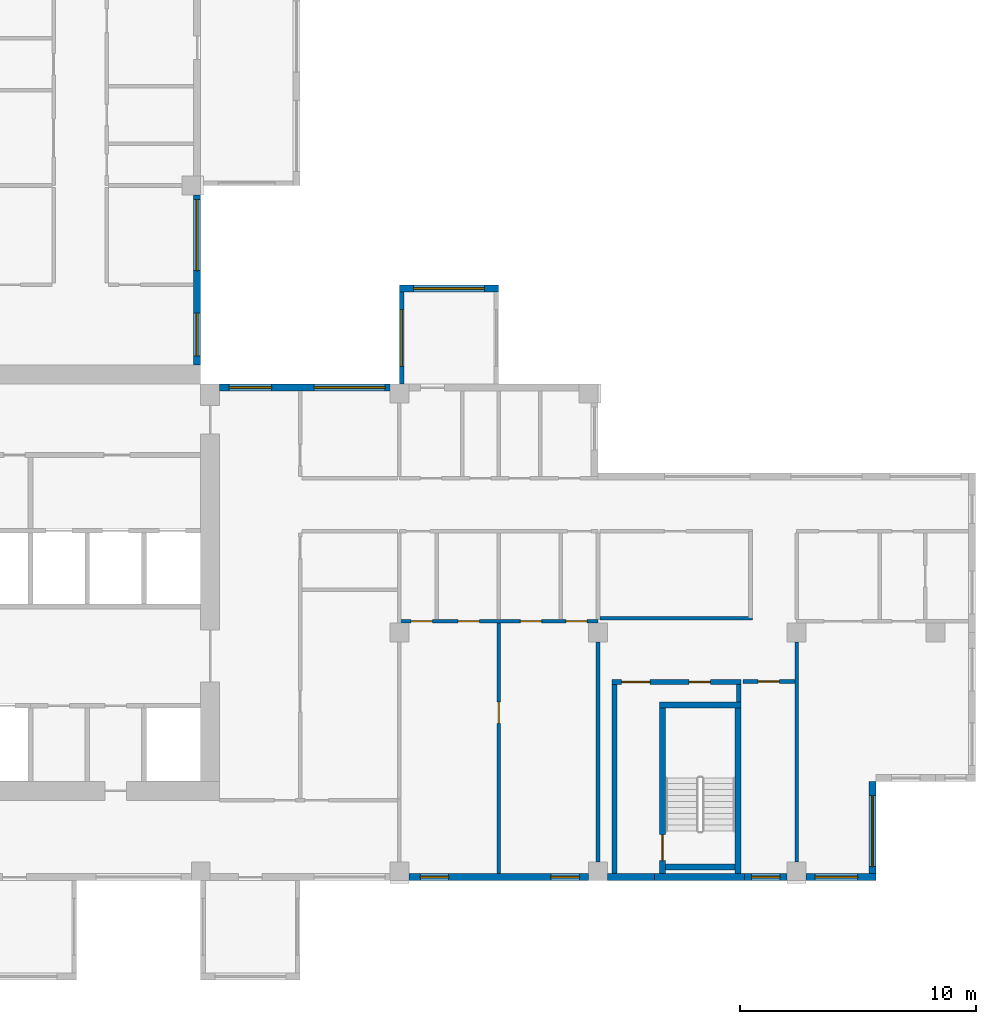
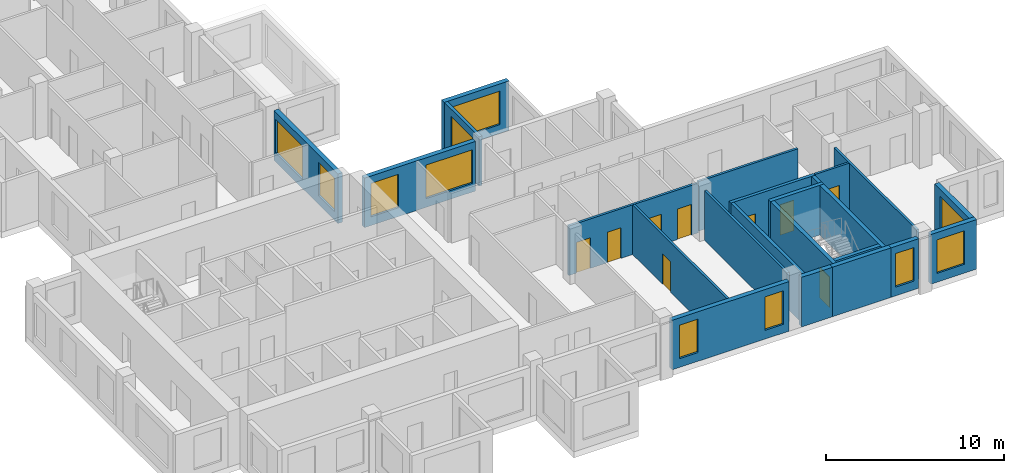
# One storey, part 4 of 12: 23 walls, 11 windows, 9 doors, 20 openings.
"""IFC4 building model written with IfcOpenShell, lengths in metres."""

from ifc_helpers import new_model, si_unit, direction, frame, frame_2d, origin, place, context, subcontext, project, spatial, rectangle, extrude, source, transform, mapped, material, layer, layer_set, type_object, element, fill, save


model = new_model("IFC4")

# Units and contexts
model_context = context("Model", 3, precision=1e-05, world=origin(), true_north=direction((0.0, 1.0)))
body_context = subcontext(model_context, "Body", "Model", "MODEL_VIEW")
ifc_project = project(units=[si_unit("LENGTHUNIT", "METRE"), si_unit("AREAUNIT", "SQUARE_METRE"), si_unit("VOLUMEUNIT", "CUBIC_METRE"), si_unit("PLANEANGLEUNIT", "RADIAN"), si_unit("MASSUNIT", "GRAM", prefix="KILO")], contexts=[model_context])

# Site, building, storey
site_placement = place(None, origin())
site = spatial("IfcSite", under=ifc_project, at=site_placement, CompositionType="ELEMENT")
building_placement = place(site_placement, origin())
building = spatial("IfcBuilding", under=site, at=building_placement, Name="Aurelian Terraces", CompositionType="ELEMENT")
storey_placement = place(building_placement, frame((0.0, 0.0, 242.4)))
storey = spatial("IfcBuildingStorey", under=building, at=storey_placement, Name="L55", CompositionType="ELEMENT", Elevation=242.4)

# Wall, opening, door
ifc_material_1 = material(Name="Gypsum board on steel studs", Category="steel")
ifc_layer_1 = layer(ifc_material_1, 0.15)
ifc_layer_set_1 = layer_set([ifc_layer_1], Name="Partition 150")
wall_type_1 = type_object("IfcWallType", Name="Partition 150", PredefinedType="PARTITIONING", material=ifc_layer_set_1)
wall_1_placement = place(storey_placement, frame((33.6, 0.3, 0.0), z_axis=(0.0, 0.0, 1.0), x_axis=(0.0, 1.0, 0.0)))
wall_1 = element("IfcWall", 1, at=wall_1_placement, inside=storey, type_object=wall_type_1, Name="Partition", PredefinedType="PARTITIONING", context=body_context, shape_type="SweptSolid", body=[
    extrude(rectangle(XDim=10.6, YDim=0.15, at=frame_2d((5.3, 0.0))), origin(), (0.0, 0.0, 1.0), 3.4),
])
shared_shape_1 = source(origin(), body_context, "Body", "SweptSolid", [
    extrude(rectangle(XDim=0.9, YDim=2.1, at=frame_2d((0.45, 1.05))), frame((0.0, 0.085, 0.0), z_axis=(0.0, -1.0, 0.0), x_axis=(1.0, 0.0, 0.0)), (0.0, 0.0, 1.0), 0.17),
])
opening_1_placement = place(wall_1_placement, frame((6.35, 0.0, 0.0)))
opening_1 = element("IfcOpeningElement", 2, at=opening_1_placement, cuts=wall_1, Name="Opening 755013", PredefinedType="OPENING", context=body_context, shape_type="MappedRepresentation", body=[
    mapped(shared_shape_1, transform((0.0, 0.0, 0.0), scale=1.0)),
])
ifc_material_2 = material(Name="Timber door leaf", Category="wood")
door_type_1 = type_object("IfcDoorType", Name="Room door 900x2100 right", OperationType="SINGLE_SWING_RIGHT", PredefinedType="DOOR", material=ifc_material_2)
shared_shape_2 = source(origin(), body_context, "Body", "SweptSolid", [
    extrude(rectangle(XDim=0.9, YDim=2.1, at=frame_2d((0.45, 1.05))), frame((0.0, 0.025, 0.0), z_axis=(0.0, -1.0, 0.0), x_axis=(1.0, 0.0, 0.0)), (0.0, 0.0, 1.0), 0.05),
])
door_1_placement = place(opening_1_placement, origin())
door_1 = element("IfcDoor", 3, at=door_1_placement, inside=storey, type_object=door_type_1, Name="Door 755013", OperationType="SINGLE_SWING_RIGHT", OverallHeight=2.1, OverallWidth=0.9, PredefinedType="DOOR", context=body_context, shape_type="MappedRepresentation", body=[
    mapped(shared_shape_2, transform((0.0, 0.0, 0.0), scale=1.0)),
])
fill(opening_1, door_1)

# Wall, opening, window
ifc_material_3 = material(Name="Terracotta rainscreen cladding", Category="masonry")
ifc_layer_2 = layer(ifc_material_3, 0.3)
ifc_layer_set_2 = layer_set([ifc_layer_2], Name="EW-300")
wall_type_2 = type_object("IfcWallType", Name="EW-300", PredefinedType="STANDARD", material=ifc_layer_set_2)
shared_shape_3 = source(origin(), body_context, "Body", "SweptSolid", [
    extrude(rectangle(XDim=4.2, YDim=0.3, at=frame_2d((2.1, 0.0))), origin(), (0.0, 0.0, 1.0), 3.4),
])
wall_2_placement = place(storey_placement, frame((49.41, 0.0, 0.0), z_axis=(0.0, 0.0, 1.0), x_axis=(0.0, 1.0, 0.0)))
wall_2 = element("IfcWall", 4, at=wall_2_placement, inside=storey, type_object=wall_type_2, Name="External wall L55 F02.7", PredefinedType="STANDARD", context=body_context, shape_type="MappedRepresentation", body=[
    mapped(shared_shape_3, transform((0.0, 0.0, 0.0), scale=1.0)),
])
shared_shape_4 = source(origin(), body_context, "Body", "SweptSolid", [
    extrude(rectangle(XDim=3.0, YDim=2.3, at=frame_2d((1.5, 1.15))), frame((0.0, 0.16, 0.0), z_axis=(0.0, -1.0, 0.0), x_axis=(1.0, 0.0, 0.0)), (0.0, 0.0, 1.0), 0.32),
])
opening_2_placement = place(wall_2_placement, frame((0.6, 0.0, 0.6)))
opening_2 = element("IfcOpeningElement", 5, at=opening_2_placement, cuts=wall_2, Name="Opening W3023", PredefinedType="OPENING", context=body_context, shape_type="MappedRepresentation", body=[
    mapped(shared_shape_4, transform((0.0, 0.0, 0.0), scale=1.0)),
])
ifc_material_4 = material(Name="Clear glazing", Category="glass")
window_type_1 = type_object("IfcWindowType", Name="W-3000x2300", PartitioningType="SINGLE_PANEL", PredefinedType="WINDOW", material=ifc_material_4)
shared_shape_5 = source(origin(), body_context, "Body", "SweptSolid", [
    extrude(rectangle(XDim=3.0, YDim=2.3, at=frame_2d((1.5, 1.15))), frame((0.0, 0.03, 0.0), z_axis=(0.0, -1.0, 0.0), x_axis=(1.0, 0.0, 0.0)), (0.0, 0.0, 1.0), 0.06),
])
window_1_placement = place(opening_2_placement, origin())
window_1 = element("IfcWindow", 6, at=window_1_placement, inside=storey, type_object=window_type_1, Name="Window L55 L55-F02-07-0", OverallHeight=2.3, OverallWidth=3.0, PartitioningType="SINGLE_PANEL", PredefinedType="WINDOW", context=body_context, shape_type="MappedRepresentation", body=[
    mapped(shared_shape_5, transform((0.0, 0.0, 0.0), scale=1.0)),
])
fill(opening_2, window_1)

ifc_material_5 = material(Name="Concrete fc' 40 MPa", Category="concrete")
ifc_layer_3 = layer(ifc_material_5, 0.2)
ifc_layer_set_3 = layer_set([ifc_layer_3], Name="BOX BEARING WALL 200")
wall_type_3 = type_object("IfcWallType", Name="BOX BEARING WALL 200", PredefinedType="SOLIDWALL", material=ifc_layer_set_3)
shared_shape_6 = source(origin(), body_context, "Body", "SweptSolid", [
    extrude(rectangle(XDim=3.9, YDim=0.2, at=frame_2d((1.95, 0.0))), origin(), (0.0, 0.0, 1.0), 3.39),
])
wall_3_placement = place(storey_placement, frame((29.5, 21.0, 0.0), z_axis=(0.0, 0.0, 1.0), x_axis=(0.0, 1.0, 0.0)))
wall_3 = element("IfcWall", 7, at=wall_3_placement, inside=storey, type_object=wall_type_3, Name="Box return L55 J81.2", PredefinedType="SOLIDWALL", context=body_context, shape_type="MappedRepresentation", body=[
    mapped(shared_shape_6, transform((0.0, 0.0, 0.0), scale=1.0)),
])
shared_shape_7 = source(origin(), body_context, "Body", "SweptSolid", [
    extrude(rectangle(XDim=2.4, YDim=2.3, at=frame_2d((1.2, 1.15))), frame((0.0, 0.11, 0.0), z_axis=(0.0, -1.0, 0.0), x_axis=(1.0, 0.0, 0.0)), (0.0, 0.0, 1.0), 0.22),
])
opening_3_placement = place(wall_3_placement, frame((0.75, 0.0, 0.6)))
opening_3 = element("IfcOpeningElement", 8, at=opening_3_placement, cuts=wall_3, Name="Opening W2423", PredefinedType="OPENING", context=body_context, shape_type="MappedRepresentation", body=[
    mapped(shared_shape_7, transform((0.0, 0.0, 0.0), scale=1.0)),
])
window_type_2 = type_object("IfcWindowType", Name="W-2400x2300", PartitioningType="SINGLE_PANEL", PredefinedType="WINDOW", material=ifc_material_4)
shared_shape_8 = source(origin(), body_context, "Body", "SweptSolid", [
    extrude(rectangle(XDim=2.4, YDim=2.3, at=frame_2d((1.2, 1.15))), frame((0.0, 0.03, 0.0), z_axis=(0.0, -1.0, 0.0), x_axis=(1.0, 0.0, 0.0)), (0.0, 0.0, 1.0), 0.06),
])
window_2_placement = place(opening_3_placement, origin())
window_2 = element("IfcWindow", 9, at=window_2_placement, inside=storey, type_object=window_type_2, Name="Window L55 J81-S2", OverallHeight=2.3, OverallWidth=2.4, PartitioningType="SINGLE_PANEL", PredefinedType="WINDOW", context=body_context, shape_type="MappedRepresentation", body=[
    mapped(shared_shape_8, transform((0.0, 0.0, 0.0), scale=1.0)),
])
fill(opening_3, window_2)

ifc_layer_4 = layer(ifc_material_5, 0.3)
ifc_layer_set_4 = layer_set([ifc_layer_4], Name="BOX BEARING WALL 300")
wall_type_4 = type_object("IfcWallType", Name="BOX BEARING WALL 300", PredefinedType="SOLIDWALL", material=ifc_layer_set_4)
shared_shape_9 = source(origin(), body_context, "Body", "SweptSolid", [
    extrude(rectangle(XDim=4.2, YDim=0.3, at=frame_2d((2.1, 0.0))), origin(), (0.0, 0.0, 1.0), 3.39),
])
wall_4_placement = place(storey_placement, frame((33.6, 25.05, 0.0), z_axis=(0.0, 0.0, 1.0), x_axis=(-1.0, 0.0, 0.0)))
wall_4 = element("IfcWall", 10, at=wall_4_placement, inside=storey, type_object=wall_type_4, Name="Box wall L55 J81", PredefinedType="SOLIDWALL", context=body_context, shape_type="MappedRepresentation", body=[
    mapped(shared_shape_9, transform((0.0, 0.0, 0.0), scale=1.0)),
])
opening_4_placement = place(wall_4_placement, frame((0.6, 0.0, 0.6)))
opening_4 = element("IfcOpeningElement", 11, at=opening_4_placement, cuts=wall_4, Name="Opening W3023", PredefinedType="OPENING", context=body_context, shape_type="MappedRepresentation", body=[
    mapped(shared_shape_4, transform((0.0, 0.0, 0.0), scale=1.0)),
])
window_3_placement = place(opening_4_placement, origin())
window_3 = element("IfcWindow", 12, at=window_3_placement, inside=storey, type_object=window_type_1, Name="Window L55 J81-F1", OverallHeight=2.3, OverallWidth=3.0, PartitioningType="SINGLE_PANEL", PredefinedType="WINDOW", context=body_context, shape_type="MappedRepresentation", body=[
    mapped(shared_shape_5, transform((0.0, 0.0, 0.0), scale=1.0)),
])
fill(opening_4, window_3)

# Wall
ifc_layer_5 = layer(ifc_material_5, 0.3)
ifc_layer_set_5 = layer_set([ifc_layer_5], Name="STAIR BAY WALL 300")
wall_type_5 = type_object("IfcWallType", Name="STAIR BAY WALL 300", PredefinedType="SOLIDWALL", material=ifc_layer_set_5)
shared_shape_10 = source(origin(), body_context, "Body", "SweptSolid", [
    extrude(rectangle(XDim=3.8, YDim=0.3, at=frame_2d((1.9, 0.0))), origin(), (0.0, 0.0, 1.0), 3.4),
])
wall_5_placement = place(storey_placement, frame((40.2, 0.15, 0.0), z_axis=(0.0, 0.0, 1.0), x_axis=(1.0, 0.0, 0.0)))
element("IfcWall", 13, at=wall_5_placement, inside=storey, type_object=wall_type_5, Name="Stair bay wall L55 F01.5", PredefinedType="SOLIDWALL", context=body_context, shape_type="MappedRepresentation", body=[
    mapped(shared_shape_10, transform((0.0, 0.0, 0.0), scale=1.0)),
])

# Wall, openings, windows
shared_shape_11 = source(origin(), body_context, "Body", "SweptSolid", [
    extrude(rectangle(XDim=7.2, YDim=0.3, at=frame_2d((3.6, 0.0))), origin(), (0.0, 0.0, 1.0), 3.4),
])
wall_6_placement = place(storey_placement, frame((29.0, 20.85, 0.0), z_axis=(0.0, 0.0, 1.0), x_axis=(-1.0, 0.0, 0.0)))
wall_6 = element("IfcWall", 14, at=wall_6_placement, inside=storey, type_object=wall_type_2, Name="External wall L55 F07.15", PredefinedType="STANDARD", context=body_context, shape_type="MappedRepresentation", body=[
    mapped(shared_shape_11, transform((0.0, 0.0, 0.0), scale=1.0)),
])
opening_5_placement = place(wall_6_placement, frame((0.2, 0.0, 0.6)))
opening_5 = element("IfcOpeningElement", 15, at=opening_5_placement, cuts=wall_6, Name="Opening W3023", PredefinedType="OPENING", context=body_context, shape_type="MappedRepresentation", body=[
    mapped(shared_shape_4, transform((0.0, 0.0, 0.0), scale=1.0)),
])
shared_shape_12 = source(origin(), body_context, "Body", "SweptSolid", [
    extrude(rectangle(XDim=1.8, YDim=2.3, at=frame_2d((0.9, 1.15))), frame((0.0, 0.16, 0.0), z_axis=(0.0, -1.0, 0.0), x_axis=(1.0, 0.0, 0.0)), (0.0, 0.0, 1.0), 0.32),
])
opening_6_placement = place(wall_6_placement, frame((5.0, 0.0, 0.6)))
opening_6 = element("IfcOpeningElement", 16, at=opening_6_placement, cuts=wall_6, Name="Opening W1823", PredefinedType="OPENING", context=body_context, shape_type="MappedRepresentation", body=[
    mapped(shared_shape_12, transform((0.0, 0.0, 0.0), scale=1.0)),
])
window_4_placement = place(opening_5_placement, origin())
window_4 = element("IfcWindow", 17, at=window_4_placement, inside=storey, type_object=window_type_1, Name="Window L55 L55-F07-15-0", OverallHeight=2.3, OverallWidth=3.0, PartitioningType="SINGLE_PANEL", PredefinedType="WINDOW", context=body_context, shape_type="MappedRepresentation", body=[
    mapped(shared_shape_5, transform((0.0, 0.0, 0.0), scale=1.0)),
])
fill(opening_5, window_4)
window_type_3 = type_object("IfcWindowType", Name="W-1800x2300", PartitioningType="SINGLE_PANEL", PredefinedType="WINDOW", material=ifc_material_4)
shared_shape_13 = source(origin(), body_context, "Body", "SweptSolid", [
    extrude(rectangle(XDim=1.8, YDim=2.3, at=frame_2d((0.9, 1.15))), frame((0.0, 0.03, 0.0), z_axis=(0.0, -1.0, 0.0), x_axis=(1.0, 0.0, 0.0)), (0.0, 0.0, 1.0), 0.06),
])
window_5_placement = place(opening_6_placement, origin())
window_5 = element("IfcWindow", 18, at=window_5_placement, inside=storey, type_object=window_type_3, Name="Window L55 L55-F07-15-1", OverallHeight=2.3, OverallWidth=1.8, PartitioningType="SINGLE_PANEL", PredefinedType="WINDOW", context=body_context, shape_type="MappedRepresentation", body=[
    mapped(shared_shape_13, transform((0.0, 0.0, 0.0), scale=1.0)),
])
fill(opening_6, window_5)

wall_7_placement = place(storey_placement, frame((20.85, 21.8, 0.0), z_axis=(0.0, 0.0, 1.0), x_axis=(0.0, 1.0, 0.0)))
wall_7 = element("IfcWall", 19, at=wall_7_placement, inside=storey, type_object=wall_type_2, Name="External wall L55 F08.16", PredefinedType="STANDARD", context=body_context, shape_type="MappedRepresentation", body=[
    mapped(shared_shape_11, transform((0.0, 0.0, 0.0), scale=1.0)),
])
opening_7_placement = place(wall_7_placement, frame((0.4, 0.0, 0.6)))
opening_7 = element("IfcOpeningElement", 20, at=opening_7_placement, cuts=wall_7, Name="Opening W1823", PredefinedType="OPENING", context=body_context, shape_type="MappedRepresentation", body=[
    mapped(shared_shape_12, transform((0.0, 0.0, 0.0), scale=1.0)),
])
opening_8_placement = place(wall_7_placement, frame((4.0, 0.0, 0.6)))
opening_8 = element("IfcOpeningElement", 21, at=opening_8_placement, cuts=wall_7, Name="Opening W3023", PredefinedType="OPENING", context=body_context, shape_type="MappedRepresentation", body=[
    mapped(shared_shape_4, transform((0.0, 0.0, 0.0), scale=1.0)),
])
window_6_placement = place(opening_8_placement, origin())
window_6 = element("IfcWindow", 22, at=window_6_placement, inside=storey, type_object=window_type_1, Name="Window L55 L55-F08-16-1", OverallHeight=2.3, OverallWidth=3.0, PartitioningType="SINGLE_PANEL", PredefinedType="WINDOW", context=body_context, shape_type="MappedRepresentation", body=[
    mapped(shared_shape_5, transform((0.0, 0.0, 0.0), scale=1.0)),
])
fill(opening_8, window_6)
window_7_placement = place(opening_7_placement, origin())
window_7 = element("IfcWindow", 23, at=window_7_placement, inside=storey, type_object=window_type_3, Name="Window L55 L55-F08-16-0", OverallHeight=2.3, OverallWidth=1.8, PartitioningType="SINGLE_PANEL", PredefinedType="WINDOW", context=body_context, shape_type="MappedRepresentation", body=[
    mapped(shared_shape_13, transform((0.0, 0.0, 0.0), scale=1.0)),
])
fill(opening_7, window_7)

shared_shape_14 = source(origin(), body_context, "Body", "SweptSolid", [
    extrude(rectangle(XDim=7.6, YDim=0.3, at=frame_2d((3.8, 0.0))), origin(), (0.0, 0.0, 1.0), 3.4),
])
wall_8_placement = place(storey_placement, frame((29.8, 0.15, 0.0), z_axis=(0.0, 0.0, 1.0), x_axis=(1.0, 0.0, 0.0)))
wall_8 = element("IfcWall", 24, at=wall_8_placement, inside=storey, type_object=wall_type_2, Name="External wall L55 F01.4", PredefinedType="STANDARD", context=body_context, shape_type="MappedRepresentation", body=[
    mapped(shared_shape_14, transform((0.0, 0.0, 0.0), scale=1.0)),
])
shared_shape_15 = source(origin(), body_context, "Body", "SweptSolid", [
    extrude(rectangle(XDim=1.2, YDim=2.3, at=frame_2d((0.6, 1.15))), frame((0.0, 0.16, 0.0), z_axis=(0.0, -1.0, 0.0), x_axis=(1.0, 0.0, 0.0)), (0.0, 0.0, 1.0), 0.32),
])
opening_9_placement = place(wall_8_placement, frame((0.4875, 0.0, 0.6)))
opening_9 = element("IfcOpeningElement", 25, at=opening_9_placement, cuts=wall_8, Name="Opening W1223", PredefinedType="OPENING", context=body_context, shape_type="MappedRepresentation", body=[
    mapped(shared_shape_15, transform((0.0, 0.0, 0.0), scale=1.0)),
])
opening_10_placement = place(wall_8_placement, frame((6.0125, 0.0, 0.6)))
opening_10 = element("IfcOpeningElement", 26, at=opening_10_placement, cuts=wall_8, Name="Opening W1223", PredefinedType="OPENING", context=body_context, shape_type="MappedRepresentation", body=[
    mapped(shared_shape_15, transform((0.0, 0.0, 0.0), scale=1.0)),
])
window_type_4 = type_object("IfcWindowType", Name="W-1200x2300", PartitioningType="SINGLE_PANEL", PredefinedType="WINDOW", material=ifc_material_4)
shared_shape_16 = source(origin(), body_context, "Body", "SweptSolid", [
    extrude(rectangle(XDim=1.2, YDim=2.3, at=frame_2d((0.6, 1.15))), frame((0.0, 0.03, 0.0), z_axis=(0.0, -1.0, 0.0), x_axis=(1.0, 0.0, 0.0)), (0.0, 0.0, 1.0), 0.06),
])
window_8_placement = place(opening_9_placement, origin())
window_8 = element("IfcWindow", 27, at=window_8_placement, inside=storey, type_object=window_type_4, Name="Window L55 L55-F01-04-0", OverallHeight=2.3, OverallWidth=1.2, PartitioningType="SINGLE_PANEL", PredefinedType="WINDOW", context=body_context, shape_type="MappedRepresentation", body=[
    mapped(shared_shape_16, transform((0.0, 0.0, 0.0), scale=1.0)),
])
fill(opening_9, window_8)
window_9_placement = place(opening_10_placement, origin())
window_9 = element("IfcWindow", 28, at=window_9_placement, inside=storey, type_object=window_type_4, Name="Window L55 L55-F01-04-1", OverallHeight=2.3, OverallWidth=1.2, PartitioningType="SINGLE_PANEL", PredefinedType="WINDOW", context=body_context, shape_type="MappedRepresentation", body=[
    mapped(shared_shape_16, transform((0.0, 0.0, 0.0), scale=1.0)),
])
fill(opening_10, window_9)

# Wall, opening, window
shared_shape_17 = source(origin(), body_context, "Body", "SweptSolid", [
    extrude(rectangle(XDim=2.96, YDim=0.3, at=frame_2d((1.48, 0.0))), origin(), (0.0, 0.0, 1.0), 3.4),
])
wall_9_placement = place(storey_placement, frame((46.6, 0.15, 0.0), z_axis=(0.0, 0.0, 1.0), x_axis=(1.0, 0.0, 0.0)))
wall_9 = element("IfcWall", 29, at=wall_9_placement, inside=storey, type_object=wall_type_2, Name="External wall L55 F01.6", PredefinedType="STANDARD", context=body_context, shape_type="MappedRepresentation", body=[
    mapped(shared_shape_17, transform((0.0, 0.0, 0.0), scale=1.0)),
])
opening_11_placement = place(wall_9_placement, frame((0.38, 0.0, 0.6)))
opening_11 = element("IfcOpeningElement", 30, at=opening_11_placement, cuts=wall_9, Name="Opening W1823", PredefinedType="OPENING", context=body_context, shape_type="MappedRepresentation", body=[
    mapped(shared_shape_12, transform((0.0, 0.0, 0.0), scale=1.0)),
])
window_10_placement = place(opening_11_placement, origin())
window_10 = element("IfcWindow", 31, at=window_10_placement, inside=storey, type_object=window_type_3, Name="Window L55 L55-F01-06-0", OverallHeight=2.3, OverallWidth=1.8, PartitioningType="SINGLE_PANEL", PredefinedType="WINDOW", context=body_context, shape_type="MappedRepresentation", body=[
    mapped(shared_shape_13, transform((0.0, 0.0, 0.0), scale=1.0)),
])
fill(opening_11, window_10)

# Wall
shared_shape_18 = source(origin(), body_context, "Body", "SweptSolid", [
    extrude(rectangle(XDim=2.0, YDim=0.3, at=frame_2d((1.0, 0.0))), origin(), (0.0, 0.0, 1.0), 3.4),
])
wall_10_placement = place(storey_placement, frame((38.2, 0.15, 0.0), z_axis=(0.0, 0.0, 1.0), x_axis=(1.0, 0.0, 0.0)))
element("IfcWall", 32, at=wall_10_placement, inside=storey, type_object=wall_type_2, Name="External wall L55 F01.5", PredefinedType="STANDARD", context=body_context, shape_type="MappedRepresentation", body=[
    mapped(shared_shape_18, transform((0.0, 0.0, 0.0), scale=1.0)),
])

# Wall, opening, window
shared_shape_19 = source(origin(), body_context, "Body", "SweptSolid", [
    extrude(rectangle(XDim=1.8, YDim=0.3, at=frame_2d((0.9, 0.0))), origin(), (0.0, 0.0, 1.0), 3.4),
])
wall_11_placement = place(storey_placement, frame((44.0, 0.15, 0.0), z_axis=(0.0, 0.0, 1.0), x_axis=(1.0, 0.0, 0.0)))
wall_11 = element("IfcWall", 33, at=wall_11_placement, inside=storey, type_object=wall_type_2, Name="External wall L55 F01.5", PredefinedType="STANDARD", context=body_context, shape_type="MappedRepresentation", body=[
    mapped(shared_shape_19, transform((0.0, 0.0, 0.0), scale=1.0)),
])
opening_12_placement = place(wall_11_placement, frame((0.3, 0.0, 0.6)))
opening_12 = element("IfcOpeningElement", 34, at=opening_12_placement, cuts=wall_11, Name="Opening W1223", PredefinedType="OPENING", context=body_context, shape_type="MappedRepresentation", body=[
    mapped(shared_shape_15, transform((0.0, 0.0, 0.0), scale=1.0)),
])
window_11_placement = place(opening_12_placement, origin())
window_11 = element("IfcWindow", 35, at=window_11_placement, inside=storey, type_object=window_type_4, Name="Window L55 L55-F01-05-P2", OverallHeight=2.3, OverallWidth=1.2, PartitioningType="SINGLE_PANEL", PredefinedType="WINDOW", context=body_context, shape_type="MappedRepresentation", body=[
    mapped(shared_shape_16, transform((0.0, 0.0, 0.0), scale=1.0)),
])
fill(opening_12, window_11)

# Wall, opening, door
ifc_layer_6 = layer(ifc_material_5, 0.25)
ifc_layer_set_6 = layer_set([ifc_layer_6], Name="Stair enclosure wall 250")
wall_type_6 = type_object("IfcWallType", Name="Stair enclosure wall 250", PredefinedType="SOLIDWALL", material=ifc_layer_set_6)
shared_shape_20 = source(origin(), body_context, "Body", "SweptSolid", [
    extrude(rectangle(XDim=7.0, YDim=0.25, at=frame_2d((3.5, 0.0))), origin(), (0.0, 0.0, 1.0), 3.4),
])
wall_12_placement = place(storey_placement, frame((40.525, 0.3, 0.0), z_axis=(0.0, 0.0, 1.0), x_axis=(0.0, 1.0, 0.0)))
wall_12 = element("IfcWall", 36, at=wall_12_placement, inside=storey, type_object=wall_type_6, Name="L55 core wall ST-S2-W", PredefinedType="SOLIDWALL", context=body_context, shape_type="MappedRepresentation", body=[
    mapped(shared_shape_20, transform((0.0, 0.0, 0.0), scale=1.0)),
])
shared_shape_21 = source(origin(), body_context, "Body", "SweptSolid", [
    extrude(rectangle(XDim=1.1, YDim=2.1, at=frame_2d((0.55, 1.05))), frame((0.0, 0.135, 0.0), z_axis=(0.0, -1.0, 0.0), x_axis=(1.0, 0.0, 0.0)), (0.0, 0.0, 1.0), 0.27),
])
opening_13_placement = place(wall_12_placement, frame((0.55, 0.0, 0.0)))
opening_13 = element("IfcOpeningElement", 37, at=opening_13_placement, cuts=wall_12, Name="Opening 65817", PredefinedType="OPENING", context=body_context, shape_type="MappedRepresentation", body=[
    mapped(shared_shape_21, transform((0.0, 0.0, 0.0), scale=1.0)),
])
ifc_material_6 = material(Name="Steel door leaf", Category="steel")
door_type_2 = type_object("IfcDoorType", Name="Core fire door 1100x2100 right", OperationType="SINGLE_SWING_RIGHT", PredefinedType="DOOR", material=ifc_material_6)
shared_shape_22 = source(origin(), body_context, "Body", "SweptSolid", [
    extrude(rectangle(XDim=1.1, YDim=2.1, at=frame_2d((0.55, 1.05))), frame((0.0, 0.025, 0.0), z_axis=(0.0, -1.0, 0.0), x_axis=(1.0, 0.0, 0.0)), (0.0, 0.0, 1.0), 0.05),
])
door_2_placement = place(opening_13_placement, origin())
door_2 = element("IfcDoor", 38, at=door_2_placement, inside=storey, type_object=door_type_2, Name="Stair door 65817", OperationType="SINGLE_SWING_RIGHT", OverallHeight=2.1, OverallWidth=1.1, PredefinedType="DOOR", context=body_context, shape_type="MappedRepresentation", body=[
    mapped(shared_shape_22, transform((0.0, 0.0, 0.0), scale=1.0)),
])
fill(opening_13, door_2)

# Walls
wall_13_placement = place(storey_placement, frame((43.725, 0.3, 0.0), z_axis=(0.0, 0.0, 1.0), x_axis=(0.0, 1.0, 0.0)))
element("IfcWall", 39, at=wall_13_placement, inside=storey, type_object=wall_type_6, Name="L55 core wall ST-S2-E", PredefinedType="SOLIDWALL", context=body_context, shape_type="MappedRepresentation", body=[
    mapped(shared_shape_20, transform((0.0, 0.0, 0.0), scale=1.0)),
])
shared_shape_23 = source(origin(), body_context, "Body", "SweptSolid", [
    extrude(rectangle(XDim=3.45, YDim=0.25, at=frame_2d((1.725, 0.0))), origin(), (0.0, 0.0, 1.0), 3.4),
])
wall_14_placement = place(storey_placement, frame((40.4, 7.425, 0.0), z_axis=(0.0, 0.0, 1.0), x_axis=(1.0, 0.0, 0.0)))
element("IfcWall", 40, at=wall_14_placement, inside=storey, type_object=wall_type_6, Name="L55 core wall ST-S2-N", PredefinedType="SOLIDWALL", context=body_context, shape_type="MappedRepresentation", body=[
    mapped(shared_shape_23, transform((0.0, 0.0, 0.0), scale=1.0)),
])
shared_shape_24 = source(origin(), body_context, "Body", "SweptSolid", [
    extrude(rectangle(XDim=2.95, YDim=0.25, at=frame_2d((1.475, 0.0))), origin(), (0.0, 0.0, 1.0), 3.4),
])
wall_15_placement = place(storey_placement, frame((40.65, 0.575, 0.0), z_axis=(0.0, 0.0, 1.0), x_axis=(1.0, 0.0, 0.0)))
element("IfcWall", 41, at=wall_15_placement, inside=storey, type_object=wall_type_6, Name="L55 core wall ST-S2-SS", PredefinedType="SOLIDWALL", context=body_context, shape_type="MappedRepresentation", body=[
    mapped(shared_shape_24, transform((0.0, 0.0, 0.0), scale=1.0)),
])

# Wall, openings, doors
ifc_layer_7 = layer(ifc_material_1, 0.2)
ifc_layer_set_7 = layer_set([ifc_layer_7], Name="Core partition 200")
wall_type_7 = type_object("IfcWallType", Name="Core partition 200", PredefinedType="PARTITIONING", material=ifc_layer_set_7)
shared_shape_25 = source(origin(), body_context, "Body", "SweptSolid", [
    extrude(rectangle(XDim=5.45, YDim=0.2, at=frame_2d((2.725, 0.0))), origin(), (0.0, 0.0, 1.0), 3.4),
])
wall_16_placement = place(storey_placement, frame((38.4, 8.4, 0.0), z_axis=(0.0, 0.0, 1.0), x_axis=(1.0, 0.0, 0.0)))
wall_16 = element("IfcWall", 42, at=wall_16_placement, inside=storey, type_object=wall_type_7, Name="L55 core wall ST-S2-BN", PredefinedType="PARTITIONING", context=body_context, shape_type="MappedRepresentation", body=[
    mapped(shared_shape_25, transform((0.0, 0.0, 0.0), scale=1.0)),
])
shared_shape_26 = source(origin(), body_context, "Body", "SweptSolid", [
    extrude(rectangle(XDim=1.2, YDim=2.1, at=frame_2d((0.6, 1.05))), frame((0.0, 0.11, 0.0), z_axis=(0.0, -1.0, 0.0), x_axis=(1.0, 0.0, 0.0)), (0.0, 0.0, 1.0), 0.22),
])
opening_14_placement = place(wall_16_placement, frame((0.4, 0.0, 0.0)))
opening_14 = element("IfcOpeningElement", 43, at=opening_14_placement, cuts=wall_16, Name="Opening 65818", PredefinedType="OPENING", context=body_context, shape_type="MappedRepresentation", body=[
    mapped(shared_shape_26, transform((0.0, 0.0, 0.0), scale=1.0)),
])
shared_shape_27 = source(origin(), body_context, "Body", "SweptSolid", [
    extrude(rectangle(XDim=0.9, YDim=2.1, at=frame_2d((0.45, 1.05))), frame((0.0, 0.11, 0.0), z_axis=(0.0, -1.0, 0.0), x_axis=(1.0, 0.0, 0.0)), (0.0, 0.0, 1.0), 0.22),
])
opening_15_placement = place(wall_16_placement, frame((3.25, 0.0, 0.0)))
opening_15 = element("IfcOpeningElement", 44, at=opening_15_placement, cuts=wall_16, Name="Opening 65819", PredefinedType="OPENING", context=body_context, shape_type="MappedRepresentation", body=[
    mapped(shared_shape_27, transform((0.0, 0.0, 0.0), scale=1.0)),
])
door_type_3 = type_object("IfcDoorType", Name="Core riser door 900x2100 right", OperationType="SINGLE_SWING_RIGHT", PredefinedType="DOOR", material=ifc_material_6)
door_3_placement = place(opening_15_placement, origin())
door_3 = element("IfcDoor", 45, at=door_3_placement, inside=storey, type_object=door_type_3, Name="Riser door 65819", OperationType="SINGLE_SWING_RIGHT", OverallHeight=2.1, OverallWidth=0.9, PredefinedType="DOOR", context=body_context, shape_type="MappedRepresentation", body=[
    mapped(shared_shape_2, transform((0.0, 0.0, 0.0), scale=1.0)),
])
fill(opening_15, door_3)
door_type_4 = type_object("IfcDoorType", Name="Core fire door 1200x2100", OperationType="SINGLE_SWING_LEFT", PredefinedType="DOOR", material=ifc_material_6)
shared_shape_28 = source(origin(), body_context, "Body", "SweptSolid", [
    extrude(rectangle(XDim=1.2, YDim=2.1, at=frame_2d((0.6, 1.05))), frame((0.0, 0.025, 0.0), z_axis=(0.0, -1.0, 0.0), x_axis=(1.0, 0.0, 0.0)), (0.0, 0.0, 1.0), 0.05),
])
door_4_placement = place(opening_14_placement, origin())
door_4 = element("IfcDoor", 46, at=door_4_placement, inside=storey, type_object=door_type_4, Name="Vestibule door 65818", OperationType="SINGLE_SWING_LEFT", OverallHeight=2.1, OverallWidth=1.2, PredefinedType="DOOR", context=body_context, shape_type="MappedRepresentation", body=[
    mapped(shared_shape_28, transform((0.0, 0.0, 0.0), scale=1.0)),
])
fill(opening_14, door_4)

# Walls
shared_shape_29 = source(origin(), body_context, "Body", "SweptSolid", [
    extrude(rectangle(XDim=0.75, YDim=0.2, at=frame_2d((0.375, 0.0))), origin(), (0.0, 0.0, 1.0), 3.4),
])
wall_17_placement = place(storey_placement, frame((43.75, 7.55, 0.0), z_axis=(0.0, 0.0, 1.0), x_axis=(0.0, 1.0, 0.0)))
element("IfcWall", 47, at=wall_17_placement, inside=storey, type_object=wall_type_7, Name="L55 core wall ST-S2-RE", PredefinedType="PARTITIONING", context=body_context, shape_type="MappedRepresentation", body=[
    mapped(shared_shape_29, transform((0.0, 0.0, 0.0), scale=1.0)),
])
shared_shape_30 = source(origin(), body_context, "Body", "SweptSolid", [
    extrude(rectangle(XDim=8.0, YDim=0.2, at=frame_2d((4.0, 0.0))), origin(), (0.0, 0.0, 1.0), 3.4),
])
wall_18_placement = place(storey_placement, frame((38.5, 0.3, 0.0), z_axis=(0.0, 0.0, 1.0), x_axis=(0.0, 1.0, 0.0)))
element("IfcWall", 48, at=wall_18_placement, inside=storey, type_object=wall_type_7, Name="L55 core wall ST-S2-VW", PredefinedType="PARTITIONING", context=body_context, shape_type="MappedRepresentation", body=[
    mapped(shared_shape_30, transform((0.0, 0.0, 0.0), scale=1.0)),
])
shared_shape_31 = source(origin(), body_context, "Body", "SweptSolid", [
    extrude(rectangle(XDim=6.45, YDim=0.15, at=frame_2d((3.225, 0.0))), origin(), (0.0, 0.0, 1.0), 3.4),
])
wall_19_placement = place(storey_placement, frame((37.875, 11.1, 0.0), z_axis=(0.0, 0.0, 1.0), x_axis=(1.0, 0.0, 0.0)))
element("IfcWall", 49, at=wall_19_placement, inside=storey, type_object=wall_type_1, Name="Partition", PredefinedType="PARTITIONING", context=body_context, shape_type="MappedRepresentation", body=[
    mapped(shared_shape_31, transform((0.0, 0.0, 0.0), scale=1.0)),
])

# Wall, openings, doors
shared_shape_32 = source(origin(), body_context, "Body", "SweptSolid", [
    extrude(rectangle(XDim=8.4, YDim=0.15, at=frame_2d((4.2, 0.0))), origin(), (0.0, 0.0, 1.0), 3.4),
])
wall_20_placement = place(storey_placement, frame((37.8, 10.975, 0.0), z_axis=(0.0, 0.0, 1.0), x_axis=(-1.0, 0.0, 0.0)))
wall_20 = element("IfcWall", 50, at=wall_20_placement, inside=storey, type_object=wall_type_1, Name="Partition", PredefinedType="PARTITIONING", context=body_context, shape_type="MappedRepresentation", body=[
    mapped(shared_shape_32, transform((0.0, 0.0, 0.0), scale=1.0)),
])
opening_16_placement = place(wall_20_placement, frame((7.0, 0.0, 0.0)))
opening_16 = element("IfcOpeningElement", 51, at=opening_16_placement, cuts=wall_20, Name="Opening 755008", PredefinedType="OPENING", context=body_context, shape_type="MappedRepresentation", body=[
    mapped(shared_shape_1, transform((0.0, 0.0, 0.0), scale=1.0)),
])
opening_17_placement = place(wall_20_placement, frame((5.0125, 0.0, 0.0)))
opening_17 = element("IfcOpeningElement", 52, at=opening_17_placement, cuts=wall_20, Name="Opening 755009", PredefinedType="OPENING", context=body_context, shape_type="MappedRepresentation", body=[
    mapped(shared_shape_1, transform((0.0, 0.0, 0.0), scale=1.0)),
])
opening_18_placement = place(wall_20_placement, frame((2.3875, 0.0, 0.0)))
opening_18 = element("IfcOpeningElement", 53, at=opening_18_placement, cuts=wall_20, Name="Opening 755010", PredefinedType="OPENING", context=body_context, shape_type="MappedRepresentation", body=[
    mapped(shared_shape_1, transform((0.0, 0.0, 0.0), scale=1.0)),
])
opening_19_placement = place(wall_20_placement, frame((0.46, 0.0, 0.0)))
opening_19 = element("IfcOpeningElement", 54, at=opening_19_placement, cuts=wall_20, Name="Opening 755012", PredefinedType="OPENING", context=body_context, shape_type="MappedRepresentation", body=[
    mapped(shared_shape_1, transform((0.0, 0.0, 0.0), scale=1.0)),
])
door_type_5 = type_object("IfcDoorType", Name="Room door 900x2100 left", OperationType="SINGLE_SWING_LEFT", PredefinedType="DOOR", material=ifc_material_2)
door_5_placement = place(opening_16_placement, origin())
door_5 = element("IfcDoor", 55, at=door_5_placement, inside=storey, type_object=door_type_5, Name="Door 755008", OperationType="SINGLE_SWING_LEFT", OverallHeight=2.1, OverallWidth=0.9, PredefinedType="DOOR", context=body_context, shape_type="MappedRepresentation", body=[
    mapped(shared_shape_2, transform((0.0, 0.0, 0.0), scale=1.0)),
])
fill(opening_16, door_5)
door_6_placement = place(opening_17_placement, origin())
door_6 = element("IfcDoor", 56, at=door_6_placement, inside=storey, type_object=door_type_1, Name="Door 755009", OperationType="SINGLE_SWING_RIGHT", OverallHeight=2.1, OverallWidth=0.9, PredefinedType="DOOR", context=body_context, shape_type="MappedRepresentation", body=[
    mapped(shared_shape_2, transform((0.0, 0.0, 0.0), scale=1.0)),
])
fill(opening_17, door_6)
door_7_placement = place(opening_18_placement, origin())
door_7 = element("IfcDoor", 57, at=door_7_placement, inside=storey, type_object=door_type_5, Name="Door 755010", OperationType="SINGLE_SWING_LEFT", OverallHeight=2.1, OverallWidth=0.9, PredefinedType="DOOR", context=body_context, shape_type="MappedRepresentation", body=[
    mapped(shared_shape_2, transform((0.0, 0.0, 0.0), scale=1.0)),
])
fill(opening_18, door_7)
door_8_placement = place(opening_19_placement, origin())
door_8 = element("IfcDoor", 58, at=door_8_placement, inside=storey, type_object=door_type_5, Name="Door 755012", OperationType="SINGLE_SWING_LEFT", OverallHeight=2.1, OverallWidth=0.9, PredefinedType="DOOR", context=body_context, shape_type="MappedRepresentation", body=[
    mapped(shared_shape_2, transform((0.0, 0.0, 0.0), scale=1.0)),
])
fill(opening_19, door_8)

# Wall, opening, door
shared_shape_33 = source(origin(), body_context, "Body", "SweptSolid", [
    extrude(rectangle(XDim=2.2, YDim=0.15, at=frame_2d((1.1, 0.0))), origin(), (0.0, 0.0, 1.0), 3.4),
])
wall_21_placement = place(storey_placement, frame((46.125, 8.425, 0.0), z_axis=(0.0, 0.0, 1.0), x_axis=(-1.0, 0.0, 0.0)))
wall_21 = element("IfcWall", 59, at=wall_21_placement, inside=storey, type_object=wall_type_1, Name="Partition", PredefinedType="PARTITIONING", context=body_context, shape_type="MappedRepresentation", body=[
    mapped(shared_shape_33, transform((0.0, 0.0, 0.0), scale=1.0)),
])
opening_20_placement = place(wall_21_placement, frame((0.65, 0.0, 0.0)))
opening_20 = element("IfcOpeningElement", 60, at=opening_20_placement, cuts=wall_21, Name="Opening 755006", PredefinedType="OPENING", context=body_context, shape_type="MappedRepresentation", body=[
    mapped(shared_shape_1, transform((0.0, 0.0, 0.0), scale=1.0)),
])
door_9_placement = place(opening_20_placement, origin())
door_9 = element("IfcDoor", 61, at=door_9_placement, inside=storey, type_object=door_type_5, Name="Door 755006", OperationType="SINGLE_SWING_LEFT", OverallHeight=2.1, OverallWidth=0.9, PredefinedType="DOOR", context=body_context, shape_type="MappedRepresentation", body=[
    mapped(shared_shape_2, transform((0.0, 0.0, 0.0), scale=1.0)),
])
fill(opening_20, door_9)

# Walls
ifc_layer_8 = layer(ifc_material_1, 0.15)
ifc_layer_set_8 = layer_set([ifc_layer_8], Name="Fire partition 150")
wall_type_8 = type_object("IfcWallType", Name="Fire partition 150", PredefinedType="PARTITIONING", material=ifc_layer_set_8)
shared_shape_34 = source(origin(), body_context, "Body", "SweptSolid", [
    extrude(rectangle(XDim=9.302, YDim=0.15, at=frame_2d((4.651, 0.0))), origin(), (0.0, 0.0, 1.0), 3.4),
])
for number, where, z_axis, x_axis, name in (
    (62, (37.8, 0.799, 0.0), (0.0, 0.0, 1.0), (0.0, 1.0, 0.0), "Party wall"),
    (63, (46.2, 0.799, 0.0), (0.0, 0.0, 1.0), (0.0, 1.0, 0.0), "Party wall"),
):
    element("IfcWall", number, at=place(storey_placement, frame(where, z_axis=z_axis, x_axis=x_axis)), inside=storey, type_object=wall_type_8, Name=name, PredefinedType="PARTITIONING", context=body_context, shape_type="MappedRepresentation", body=[
        mapped(shared_shape_34, transform((0.0, 0.0, 0.0), scale=1.0)),
    ])

save(model, "model.ifc")
